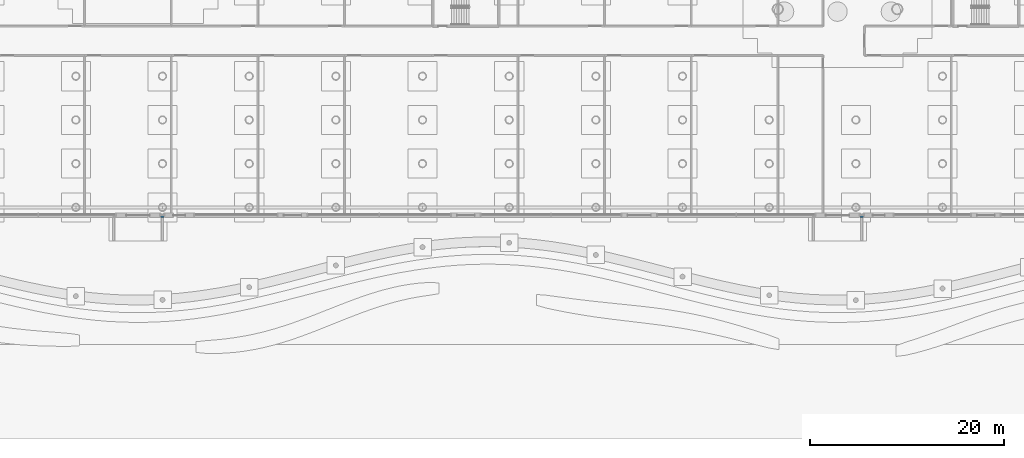
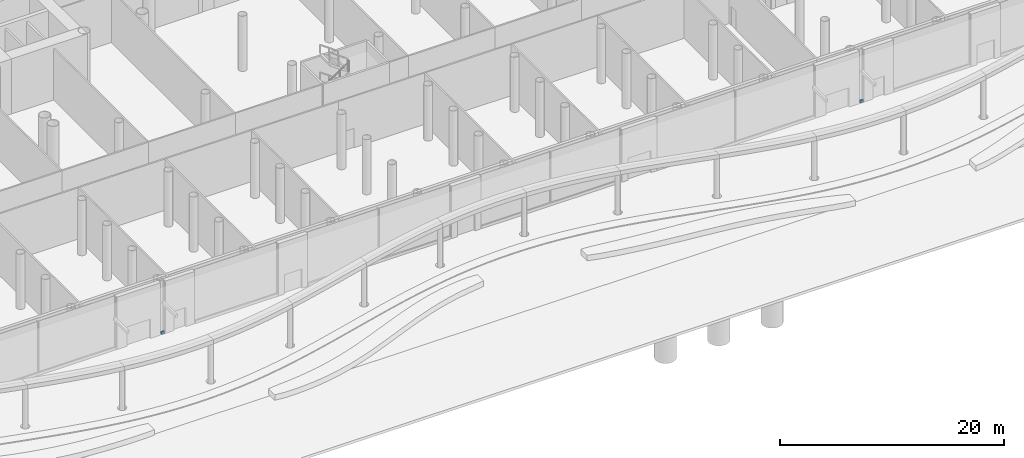
# One storey, part 16 of 75: 2 members, 2 elements without a shape of their own.
"""IFC4 building model written with IfcOpenShell, lengths in metres."""

from ifc_helpers import new_model, si_unit, direction, frame, origin, origin_2d, place, context, subcontext, project, spatial, rectangle, extrude, material, layer, layer_set, material_profile, profile_set, type_object, element, aggregate, save


model = new_model("IFC4")

# Units and contexts
model_context = context("Model", 3, precision=1e-05, world=origin(), true_north=direction((0.0, 1.0)))
body_context = subcontext(model_context, "Body", "Model", "MODEL_VIEW")
ifc_project = project(units=[si_unit("LENGTHUNIT", "METRE"), si_unit("AREAUNIT", "SQUARE_METRE"), si_unit("VOLUMEUNIT", "CUBIC_METRE"), si_unit("PLANEANGLEUNIT", "RADIAN"), si_unit("MASSUNIT", "GRAM", prefix="KILO")], contexts=[model_context])

# Site, building, storey
site_placement = place(None, origin())
site = spatial("IfcSite", under=ifc_project, at=site_placement, CompositionType="ELEMENT")
building_placement = place(site_placement, origin())
building = spatial("IfcBuilding", under=site, at=building_placement, Name="Ipe Terrace Towers", CompositionType="ELEMENT")
storey_placement = place(building_placement, origin())
storey = spatial("IfcBuildingStorey", under=building, at=storey_placement, Name="L00", CompositionType="ELEMENT", Elevation=0.0)

# Curtain wall, member
ifc_material_1 = material(Name="Aluminium alloy 6063-T6", Category="aluminium")
ifc_layer = layer(ifc_material_1, 0.43994140625)
ifc_layer_set = layer_set([ifc_layer], Name="PODIUM GLAZING CURTAIN WALL")
curtain_wall_type = type_object("IfcCurtainWallType", Name="PODIUM GLAZING CURTAIN WALL", PredefinedType="NOTDEFINED", material=ifc_layer_set)
curtain_wall_1_placement = place(storey_placement, origin())
curtain_wall_1 = element("IfcCurtainWall", 1, at=curtain_wall_1_placement, inside=storey, type_object=curtain_wall_type, Name="POD-CW-L00-03g curtain wall", PredefinedType="NOTDEFINED")
ifc_material_2 = material(Name="Aluminium alloy 6063-T6", Category="aluminium")
ifc_material_profile = material_profile(ifc_material_2, rectangle(XDim=0.139892578125, YDim=0.300048828125, at=origin_2d()), Name="PODIUM GLAZING TRANSOM 140 x 300")
ifc_profile_set = profile_set([ifc_material_profile], Name="Aluminium alloy 6063-T6")
member_type = type_object("IfcMemberType", Name="PODIUM GLAZING TRANSOM 140 x 300", PredefinedType="USERDEFINED", material=ifc_profile_set)
member_1_placement = place(storey_placement, frame((-33.669921875, -43.1201171875, 0.14990234375), z_axis=(1.0, 0.0, 0.0), x_axis=(0.0, -1.0, 0.0)))
member_1 = element("IfcMember", 2, at=member_1_placement, type_object=member_type, Name="POD-CW-L00-03g transom", ObjectType="TRANSOM", PredefinedType="USERDEFINED", context=body_context, shape_type="SweptSolid", body=[
    extrude(rectangle(XDim=0.139892578125, YDim=0.300048828125, at=origin_2d()), origin(), (0.0, 0.0, 1.0), 0.33984375),
])
aggregate(curtain_wall_1, [member_1])

curtain_wall_2_placement = place(storey_placement, origin())
curtain_wall_2 = element("IfcCurtainWall", 3, at=curtain_wall_2_placement, inside=storey, type_object=curtain_wall_type, Name="POD-CW-L00-03q curtain wall", PredefinedType="NOTDEFINED")
member_2_placement = place(storey_placement, frame((38.330078125, -43.1201171875, 0.14990234375), z_axis=(1.0, 0.0, 0.0), x_axis=(0.0, -1.0, 0.0)))
member_2 = element("IfcMember", 4, at=member_2_placement, type_object=member_type, Name="POD-CW-L00-03q transom", ObjectType="TRANSOM", PredefinedType="USERDEFINED", context=body_context, shape_type="SweptSolid", body=[
    extrude(rectangle(XDim=0.139892578125, YDim=0.300048828125, at=origin_2d()), origin(), (0.0, 0.0, 1.0), 0.33984375),
])
aggregate(curtain_wall_2, [member_2])

save(model, "model.ifc")
